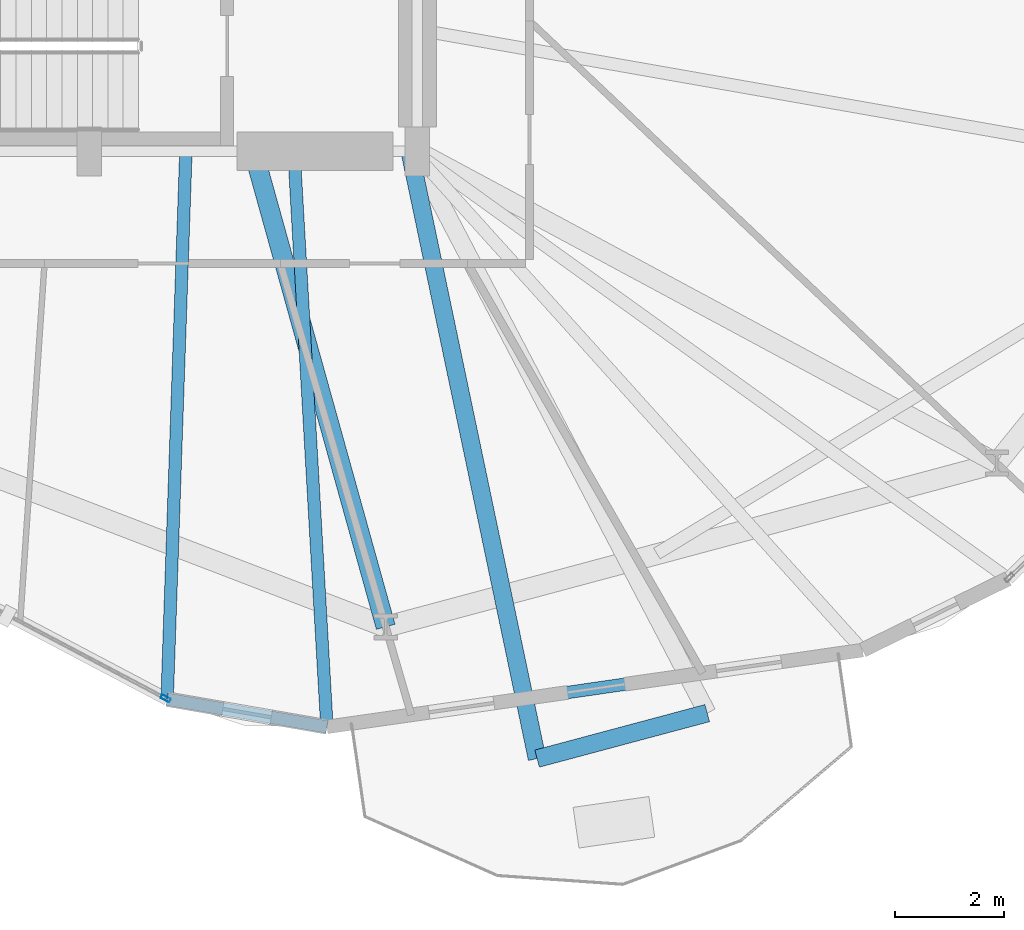
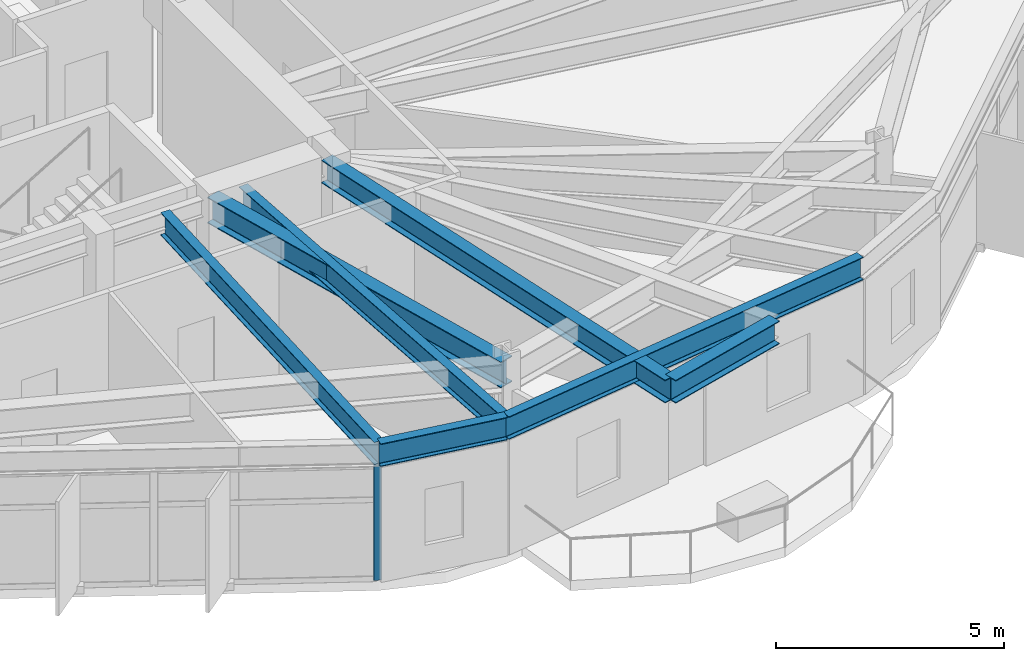
# One storey, part 4 of 22: 7 beams, 1 member, 1 element without a shape of its own.
"""IFC4 building model written with IfcOpenShell, lengths in metres."""

from ifc_helpers import new_model, si_unit, direction, frame, origin, origin_2d, place, context, subcontext, project, spatial, hollow_rectangle, i_section, extrude, material, layer, layer_set, material_profile, profile_set, type_object, element, aggregate, save


model = new_model("IFC4")

# Units and contexts
model_context = context("Model", 3, precision=1e-05, world=origin(), true_north=direction((0.0, 1.0)))
body_context = subcontext(model_context, "Body", "Model", "MODEL_VIEW")
ifc_project = project(units=[si_unit("LENGTHUNIT", "METRE"), si_unit("AREAUNIT", "SQUARE_METRE"), si_unit("VOLUMEUNIT", "CUBIC_METRE"), si_unit("PLANEANGLEUNIT", "RADIAN"), si_unit("MASSUNIT", "GRAM", prefix="KILO")], contexts=[model_context])

# Site, building, storey
site_placement = place(None, origin())
site = spatial("IfcSite", under=ifc_project, at=site_placement, CompositionType="ELEMENT")
building_placement = place(site_placement, origin())
building = spatial("IfcBuilding", under=site, at=building_placement, Name="Soratama Intermodal Tower", CompositionType="ELEMENT")
storey_placement = place(building_placement, frame((0.0, 0.0, 58.60009765625)))
storey = spatial("IfcBuildingStorey", under=building, at=storey_placement, Name="L13", CompositionType="ELEMENT", Elevation=58.60009765625)

# Beams
ifc_material_1 = material(Name="Structural steel ASTM A992 Grade 50", Category="steel")
ifc_material_profile_1 = material_profile(ifc_material_1, i_section(OverallWidth=0.324951171875, OverallDepth=0.615966796875, WebThickness=0.013916015625, FlangeThickness=0.021484375, FilletRadius=0.013916015625, at=origin_2d()), Name="W24X117")
ifc_profile_set_1 = profile_set([ifc_material_profile_1], Name="Structural steel ASTM A992 Grade 50")
beam_type_1 = type_object("IfcBeamType", Name="BM-CANT-W24X117", PredefinedType="BEAM", material=ifc_profile_set_1)
beam_1_placement = place(storey_placement, frame((46.7880859375, 3.89599609375, 3.391845703125), z_axis=(0.966043403946, 0.25837983995, 0.0), x_axis=(-0.25837983995, 0.966043403946, 0.0)))
element("IfcBeam", 1, at=beam_1_placement, inside=storey, type_object=beam_type_1, Name="BM-L13-CBHDR-3", PredefinedType="BEAM", context=body_context, shape_type="SweptSolid", body=[
    extrude(i_section(OverallWidth=0.324951171875, OverallDepth=0.615966796875, WebThickness=0.013916015625, FlangeThickness=0.021484375, FilletRadius=0.013916015625, at=origin_2d()), origin(), (0.0, 0.0, 1.0), 3.22021484375),
])
beam_2_placement = place(storey_placement, frame((44.468017578125, 14.9609375, 3.391845703125), z_axis=(0.205214844297, -0.978716949726, 0.0), x_axis=(0.978716949726, 0.205214844297, 0.0)))
element("IfcBeam", 2, at=beam_2_placement, inside=storey, type_object=beam_type_1, Name="BM-L13-CANT-3-1", PredefinedType="BEAM", context=body_context, shape_type="SweptSolid", body=[
    extrude(i_section(OverallWidth=0.324951171875, OverallDepth=0.615966796875, WebThickness=0.013916015625, FlangeThickness=0.021484375, FilletRadius=0.013916015625, at=origin_2d()), origin(), (0.0, 0.0, 1.0), 11.3056640625),
])
ifc_material_2 = material(Name="Structural steel ASTM A992 Grade 50", Category="steel")
ifc_material_profile_2 = material_profile(ifc_material_2, i_section(OverallWidth=0.35498046875, OverallDepth=0.695068359375, WebThickness=0.015380859375, FlangeThickness=0.02490234375, FilletRadius=0.01611328125, at=origin_2d()), Name="W27X146")
ifc_profile_set_2 = profile_set([ifc_material_profile_2], Name="Structural steel ASTM A992 Grade 50")
beam_type_2 = type_object("IfcBeamType", Name="BM-RING-W27X146", PredefinedType="BEAM", material=ifc_profile_set_2)
beam_3_placement = place(storey_placement, frame((41.60009765625, 15.0, 3.352294921875), z_axis=(0.26814752121, -0.963377862974, 0.0), x_axis=(0.963377862974, 0.26814752121, 0.0)))
element("IfcBeam", 3, at=beam_3_placement, inside=storey, type_object=beam_type_2, Name="BM-L13-RAD-08", PredefinedType="BEAM", context=body_context, shape_type="SweptSolid", body=[
    extrude(i_section(OverallWidth=0.35498046875, OverallDepth=0.695068359375, WebThickness=0.015380859375, FlangeThickness=0.02490234375, FilletRadius=0.01611328125, at=origin_2d()), origin(), (0.0, 0.0, 1.0), 9.024658203125),
])
ifc_material_3 = material(Name="Structural steel ASTM A992 Grade 50", Category="steel")
ifc_material_profile_3 = material_profile(ifc_material_3, i_section(OverallWidth=0.22900390625, OverallDepth=0.612060546875, WebThickness=0.011962890625, FlangeThickness=0.01953125, FilletRadius=0.012939453125, at=origin_2d()), Name="W24X84")
ifc_profile_set_3 = profile_set([ifc_material_profile_3], Name="Structural steel ASTM A992 Grade 50")
beam_type_3 = type_object("IfcBeamType", Name="BM-SPN-W24X84", PredefinedType="SPANDREL", material=ifc_profile_set_3)
beam_4_placement = place(storey_placement, frame((40.02294921875, 4.98193359375, 3.393798828125), z_axis=(0.985288990023, -0.170896477842, 0.0), x_axis=(0.170896477842, 0.985288990023, 0.0)))
element("IfcBeam", 4, at=beam_4_placement, inside=storey, type_object=beam_type_3, Name="BS-L13-CRN07", PredefinedType="SPANDREL", context=body_context, shape_type="SweptSolid", body=[
    extrude(i_section(OverallWidth=0.22900390625, OverallDepth=0.612060546875, WebThickness=0.011962890625, FlangeThickness=0.01953125, FilletRadius=0.012939453125, at=origin_2d()), origin(), (0.0, 0.0, 1.0), 2.9658203125),
])
beam_5_placement = place(storey_placement, frame((42.945068359375, 4.47509765625, 3.393798828125), z_axis=(0.989883255029, 0.141884253575, 0.0), x_axis=(-0.141884253575, 0.989883255029, 0.0)))
element("IfcBeam", 5, at=beam_5_placement, inside=storey, type_object=beam_type_3, Name="BS-L13-F08", PredefinedType="SPANDREL", context=body_context, shape_type="SweptSolid", body=[
    extrude(i_section(OverallWidth=0.22900390625, OverallDepth=0.612060546875, WebThickness=0.011962890625, FlangeThickness=0.01953125, FilletRadius=0.012939453125, at=origin_2d()), origin(), (0.0, 0.0, 1.0), 9.89404296875),
])
ifc_material_4 = material(Name="Structural steel ASTM A992 Grade 50", Category="steel")
ifc_material_profile_4 = material_profile(ifc_material_4, i_section(OverallWidth=0.22900390625, OverallDepth=0.612060546875, WebThickness=0.011962890625, FlangeThickness=0.01953125, FilletRadius=0.012939453125, at=origin_2d()), Name="W24X84")
ifc_profile_set_4 = profile_set([ifc_material_profile_4], Name="Structural steel ASTM A992 Grade 50")
beam_type_4 = type_object("IfcBeamType", Name="BM-TIE-W24X84", PredefinedType="BEAM", material=ifc_profile_set_4)
beam_6_placement = place(storey_placement, frame((40.364990234375, 14.9599609375, 3.393798828125), z_axis=(-0.03425929978, -0.999412977892, 0.0), x_axis=(0.999412977892, -0.03425929978, 0.0)))
element("IfcBeam", 6, at=beam_6_placement, inside=storey, type_object=beam_type_4, Name="BM-L13-TIE1-07", PredefinedType="BEAM", context=body_context, shape_type="SweptSolid", body=[
    extrude(i_section(OverallWidth=0.22900390625, OverallDepth=0.612060546875, WebThickness=0.011962890625, FlangeThickness=0.01953125, FilletRadius=0.012939453125, at=origin_2d()), origin(), (0.0, 0.0, 1.0), 9.98388671875),
])
beam_7_placement = place(storey_placement, frame((42.343994140625, 14.9599609375, 3.393798828125), z_axis=(0.057233835304, -0.998360800561, 0.0), x_axis=(0.998360800561, 0.057233835304, 0.0)))
element("IfcBeam", 7, at=beam_7_placement, inside=storey, type_object=beam_type_4, Name="BM-L13-TIE0-08", PredefinedType="BEAM", context=body_context, shape_type="SweptSolid", body=[
    extrude(i_section(OverallWidth=0.22900390625, OverallDepth=0.612060546875, WebThickness=0.011962890625, FlangeThickness=0.01953125, FilletRadius=0.012939453125, at=origin_2d()), origin(), (0.0, 0.0, 1.0), 10.502197265625),
])

# Curtain wall, member
ifc_material_5 = material(Name="Double-glazed aluminium curtain wall", Category="aluminium")
ifc_layer = layer(ifc_material_5, 0.159912109375)
ifc_layer_set = layer_set([ifc_layer], Name="Double-glazed aluminium curtain wall")
curtain_wall_type = type_object("IfcCurtainWallType", Name="CW-SYS-2", PredefinedType="NOTDEFINED", material=ifc_layer_set)
curtain_wall_placement = place(storey_placement, origin())
curtain_wall = element("IfcCurtainWall", 8, at=curtain_wall_placement, inside=storey, type_object=curtain_wall_type, Name="L13 Faceted Curtain Wall F07", PredefinedType="NOTDEFINED")
ifc_material_6 = material(Name="Anodised aluminium AA 6063-T6", Category="aluminium")
ifc_material_profile_5 = material_profile(ifc_material_6, hollow_rectangle(XDim=0.074951171875, YDim=0.179931640625, WallThickness=0.006103515625, InnerFilletRadius=0.006103515625, OuterFilletRadius=0.011962890625, at=origin_2d()), Name="CWM180X75X6")
ifc_profile_set_5 = profile_set([ifc_material_profile_5], Name="Anodised aluminium AA 6063-T6")
member_type = type_object("IfcMemberType", Name="MT-CWM-2", PredefinedType="MULLION", material=ifc_profile_set_5)
member_placement = place(storey_placement, frame((39.99609375, 4.99609375, 0.0), z_axis=(0.0, 0.0, 1.0), x_axis=(0.467001461398, 0.884256543686, 0.0)))
member = element("IfcMember", 9, at=member_placement, type_object=member_type, Name="CW-2 mullion 3", PredefinedType="MULLION", context=body_context, shape_type="SweptSolid", body=[
    extrude(hollow_rectangle(XDim=0.074951171875, YDim=0.179931640625, WallThickness=0.006103515625, InnerFilletRadius=0.006103515625, OuterFilletRadius=0.011962890625, at=origin_2d()), origin(), (0.0, 0.0, 1.0), 3.078857421875),
])
aggregate(curtain_wall, [member])

save(model, "model.ifc")
